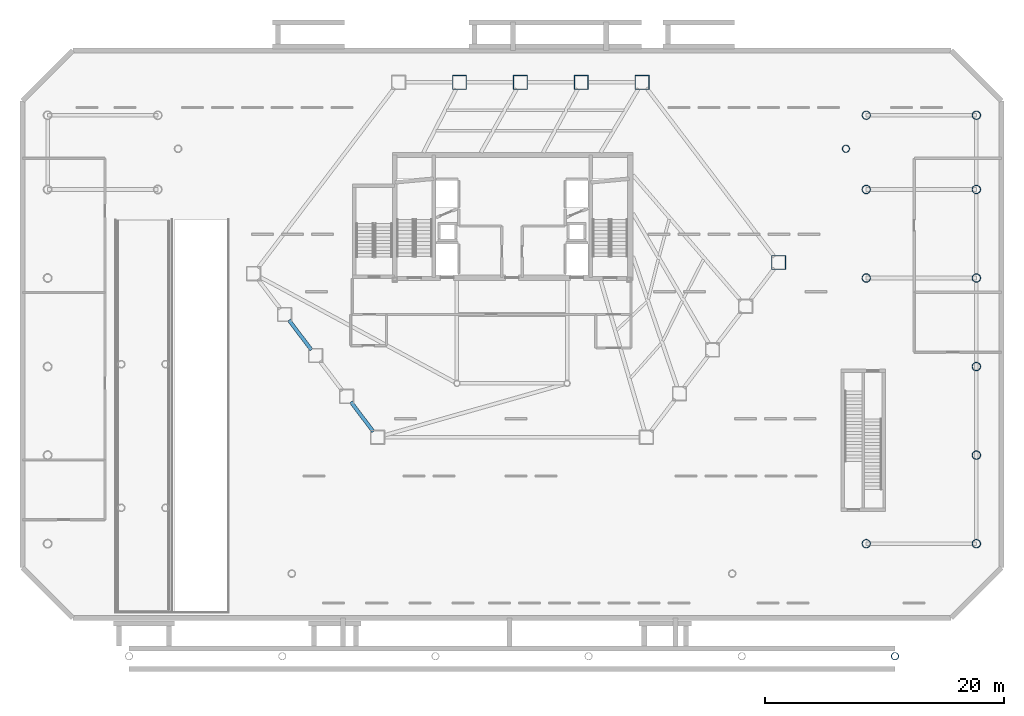
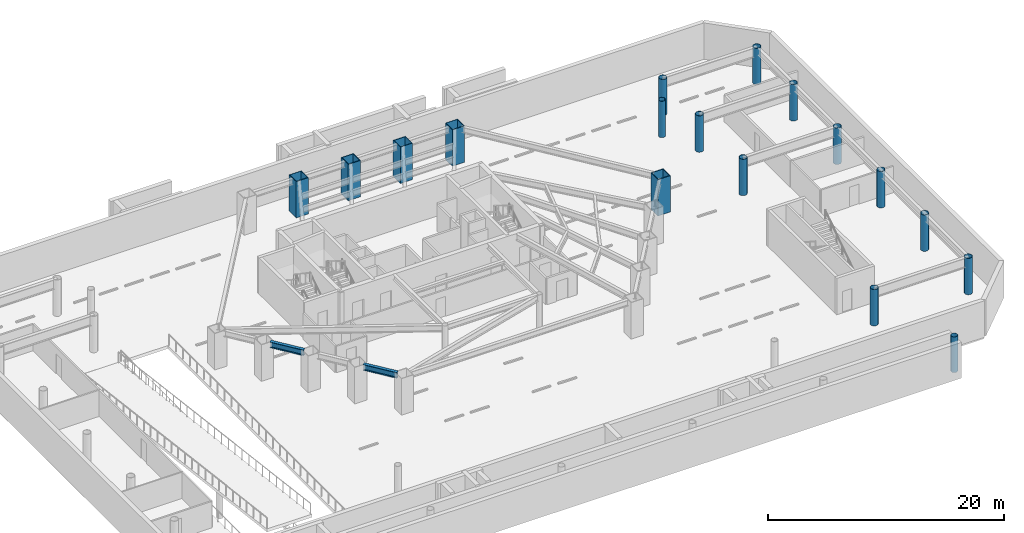
# One storey, part 4 of 15: 17 columns, 2 beams.
"""IFC4 building model written with IfcOpenShell, lengths in metres."""

from ifc_helpers import new_model, si_unit, direction, frame, origin, origin_2d, place, context, subcontext, project, spatial, hollow_rectangle, hollow_circle, i_section, extrude, material, material_profile, profile_set, type_object, element, save


model = new_model("IFC4")

# Units and contexts
model_context = context("Model", 3, precision=1e-05, world=origin(), true_north=direction((0.0, 1.0)))
body_context = subcontext(model_context, "Body", "Model", "MODEL_VIEW")
ifc_project = project(units=[si_unit("LENGTHUNIT", "METRE"), si_unit("AREAUNIT", "SQUARE_METRE"), si_unit("VOLUMEUNIT", "CUBIC_METRE"), si_unit("PLANEANGLEUNIT", "RADIAN"), si_unit("MASSUNIT", "GRAM", prefix="KILO")], contexts=[model_context])

# Site, building, storey
site_placement = place(None, origin())
site = spatial("IfcSite", under=ifc_project, at=site_placement, CompositionType="ELEMENT")
building_placement = place(site_placement, origin())
building = spatial("IfcBuilding", under=site, at=building_placement, Name="Zarrinselat Tower", CompositionType="ELEMENT")
storey_placement = place(building_placement, frame((0.0, 0.0, -4.080078125)))
storey = spatial("IfcBuildingStorey", under=building, at=storey_placement, Name="B01", CompositionType="ELEMENT", Elevation=-4.080078125)

# Columns
ifc_material_1 = material(Name="Steel S355J2", Category="steel")
ifc_material_profile_1 = material_profile(ifc_material_1, hollow_circle(Radius=0.304931640625, WallThickness=0.02490234375, at=origin_2d()), Name="CHS 610x25")
ifc_profile_set_1 = profile_set([ifc_material_profile_1], Name="Steel S355J2")
column_type_1 = type_object("IfcColumnType", Name="COL-CHS610", PredefinedType="COLUMN", material=ifc_profile_set_1)
column_1_placement = place(storey_placement, frame((70.39990234375, 1.60009765625, 0.0), z_axis=(0.0, 0.0, 1.0), x_axis=(1.0, 0.0, 0.0)))
element("IfcColumn", 1, at=column_1_placement, inside=storey, type_object=column_type_1, Name="B01 Forecourt Plaza Pier 6", PredefinedType="COLUMN", context=body_context, shape_type="SweptSolid", body=[
    extrude(hollow_circle(Radius=0.304931640625, WallThickness=0.02490234375, at=origin_2d()), origin(), (0.0, 0.0, 1.0), 3.68017578125),
])
column_2_placement = place(storey_placement, frame((66.300048828125, 44.0, 0.0), z_axis=(0.0, 0.0, 1.0), x_axis=(1.0, 0.0, 0.0)))
element("IfcColumn", 2, at=column_2_placement, inside=storey, type_object=column_type_1, Name="B01 Garden Deck Support Column 4", PredefinedType="COLUMN", context=body_context, shape_type="SweptSolid", body=[
    extrude(hollow_circle(Radius=0.304931640625, WallThickness=0.02490234375, at=origin_2d()), origin(), (0.0, 0.0, 1.0), 3.760009765625),
])
ifc_material_2 = material(Name="Steel S460M", Category="steel")
ifc_material_profile_2 = material_profile(ifc_material_2, hollow_circle(Radius=0.35546875, WallThickness=0.030029296875, at=origin_2d()), Name="CHS 711x30")
ifc_profile_set_2 = profile_set([ifc_material_profile_2], Name="Steel S460M")
column_type_2 = type_object("IfcColumnType", Name="COL-CHS711", PredefinedType="COLUMN", material=ifc_profile_set_2)
for number, where, z_axis, x_axis, name in (
    (3, (77.199951171875, 11.0, 0.0), (0.0, 0.0, 1.0), (1.0, 0.0, 0.0), "B01 Podium Outer Column E-11"),
    (4, (68.0, 11.0, 0.0), (0.0, 0.0, 1.0), (1.0, 0.0, 0.0), "B01 Podium Anchor Column E-11"),
    (5, (77.199951171875, 33.199951171875, 0.0), (0.0, 0.0, 1.0), (1.0, 0.0, 0.0), "B01 Podium Outer Column E-33"),
    (6, (68.0, 33.199951171875, 0.0), (0.0, 0.0, 1.0), (1.0, 0.0, 0.0), "B01 Podium Anchor Column E-33"),
    (7, (77.199951171875, 40.60009765625, 0.0), (0.0, 0.0, 1.0), (1.0, 0.0, 0.0), "B01 Podium Outer Column E-40"),
    (8, (68.0, 40.60009765625, 0.0), (0.0, 0.0, 1.0), (1.0, 0.0, 0.0), "B01 Podium Anchor Column E-40"),
    (9, (77.199951171875, 46.800048828125, 0.0), (0.0, 0.0, 1.0), (1.0, 0.0, 0.0), "B01 Podium Outer Column E-46"),
    (10, (68.0, 46.800048828125, 0.0), (0.0, 0.0, 1.0), (1.0, 0.0, 0.0), "B01 Podium Anchor Column E-46"),
    (11, (77.199951171875, 18.39990234375, 0.0), (0.0, 0.0, 1.0), (1.0, 0.0, 0.0), "B01 Lower Podium Column 05"),
    (12, (77.199951171875, 25.800048828125, 0.0), (0.0, 0.0, 1.0), (1.0, 0.0, 0.0), "B01 Lower Podium Column 06"),
):
    element("IfcColumn", number, at=place(storey_placement, frame(where, z_axis=z_axis, x_axis=x_axis)), inside=storey, type_object=column_type_2, Name=name, PredefinedType="COLUMN", context=body_context, shape_type="SweptSolid", body=[
        extrude(hollow_circle(Radius=0.35546875, WallThickness=0.030029296875, at=origin_2d()), origin(), (0.0, 0.0, 1.0), 3.760009765625),
    ])
ifc_material_3 = material(Name="Steel S460M", Category="steel")
ifc_material_profile_3 = material_profile(ifc_material_3, hollow_rectangle(XDim=1.199951171875, YDim=1.199951171875, WallThickness=0.06005859375, at=origin_2d()), Name="SHS 1200x1200x60")
ifc_profile_set_3 = profile_set([ifc_material_profile_3], Name="Steel S460M")
column_type_3 = type_object("IfcColumnType", Name="COL-SHS1200", PredefinedType="COLUMN", material=ifc_profile_set_3)
for number, where, z_axis, x_axis, name in (
    (13, (49.277099609375, 49.550048828125, 0.0), (0.0, 0.0, 1.0), (1.0, 0.0, 0.0), "B01 Framed-Tube Column T01"),
    (14, (44.1884765625, 49.550048828125, 0.0), (0.0, 0.0, 1.0), (1.0, 0.0, 0.0), "B01 Framed-Tube Column T02"),
    (15, (39.10009765625, 49.550048828125, 0.0), (0.0, 0.0, 1.0), (1.0, 0.0, 0.0), "B01 Framed-Tube Column T03"),
    (16, (34.011474609375, 49.550048828125, 0.0), (0.0, 0.0, 1.0), (1.0, 0.0, 0.0), "B01 Framed-Tube Column T04"),
    (17, (60.6845703125, 34.491943359375, 0.0), (0.0, 0.0, 1.0), (1.0, 0.0, 0.0), "B01 Framed-Tube Column T15"),
):
    element("IfcColumn", number, at=place(storey_placement, frame(where, z_axis=z_axis, x_axis=x_axis)), inside=storey, type_object=column_type_3, Name=name, PredefinedType="COLUMN", context=body_context, shape_type="SweptSolid", body=[
        extrude(hollow_rectangle(XDim=1.199951171875, YDim=1.199951171875, WallThickness=0.06005859375, at=origin_2d()), origin(), (0.0, 0.0, 1.0), 3.760009765625),
    ])

# Beams
ifc_material_4 = material(Name="Steel S355J2", Category="steel")
ifc_material_profile_4 = material_profile(ifc_material_4, i_section(OverallWidth=0.300048828125, OverallDepth=0.60009765625, WebThickness=0.015380859375, FlangeThickness=0.030029296875, at=origin_2d()), Name="HEB 600")
ifc_profile_set_4 = profile_set([ifc_material_profile_4], Name="Steel S355J2")
beam_type = type_object("IfcBeamType", Name="BM-HEB600", PredefinedType="BEAM", material=ifc_profile_set_4)
beam_1_placement = place(storey_placement, frame((19.760009765625, 29.681396484375, 3.4599609375), z_axis=(0.603821437922, -0.797119609033, 0.0), x_axis=(0.797119609033, 0.603821437922, 0.0)))
element("IfcBeam", 18, at=beam_1_placement, inside=storey, type_object=beam_type, Name="B01 Perimeter Spandrel Girder SP07", PredefinedType="BEAM", context=body_context, shape_type="SweptSolid", body=[
    extrude(i_section(OverallWidth=0.300048828125, OverallDepth=0.60009765625, WebThickness=0.015380859375, FlangeThickness=0.030029296875, at=origin_2d()), origin(), (0.0, 0.0, 1.0), 3.112060546875),
])
beam_2_placement = place(storey_placement, frame((24.938720703125, 22.84521484375, 3.4599609375), z_axis=(0.603859198483, -0.797091003843, 0.0), x_axis=(0.797091003843, 0.603859198483, 0.0)))
element("IfcBeam", 19, at=beam_2_placement, inside=storey, type_object=beam_type, Name="B01 Perimeter Spandrel Girder SP09", PredefinedType="BEAM", context=body_context, shape_type="SweptSolid", body=[
    extrude(i_section(OverallWidth=0.300048828125, OverallDepth=0.60009765625, WebThickness=0.015380859375, FlangeThickness=0.030029296875, at=origin_2d()), origin(), (0.0, 0.0, 1.0), 3.11181640625),
])

save(model, "model.ifc")
